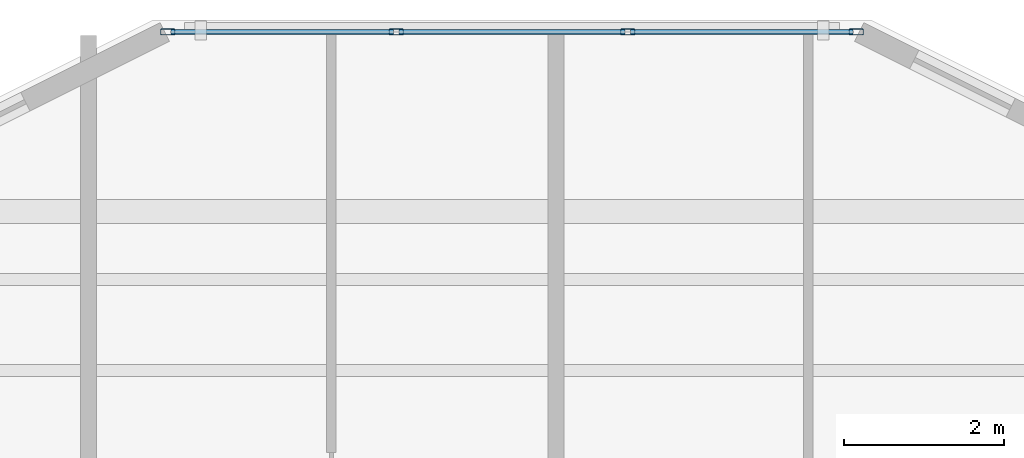
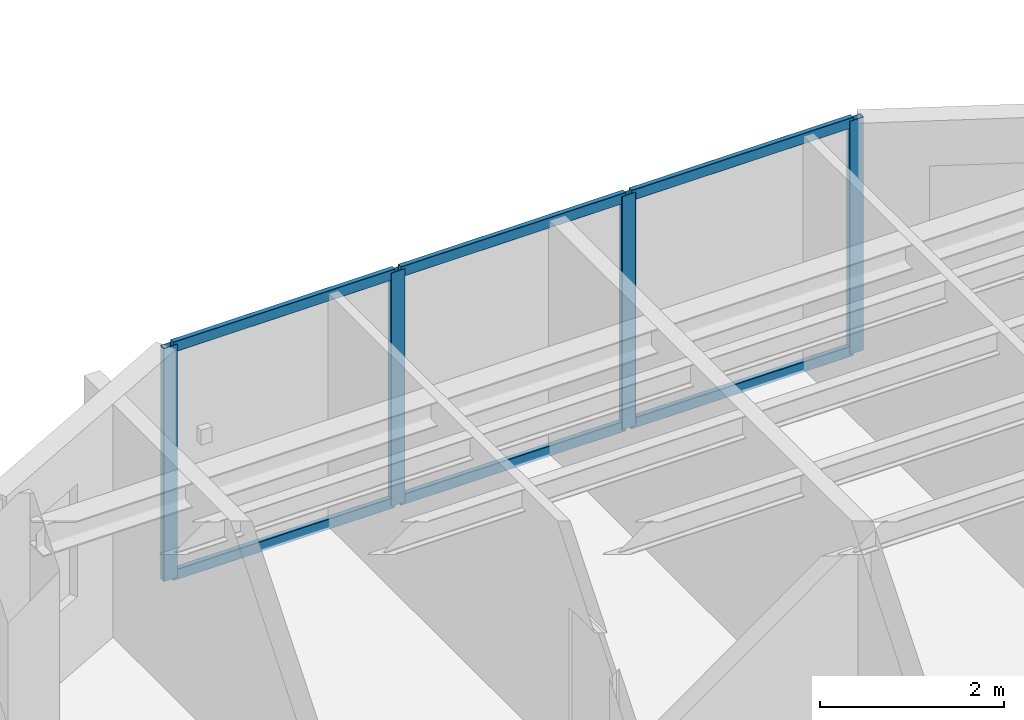
# One storey, part 4 of 14: 10 members, 1 element without a shape of its own.
"""IFC4 building model written with IfcOpenShell, lengths in metres."""

from ifc_helpers import new_model, si_unit, direction, frame, origin, origin_2d, place, context, subcontext, project, spatial, hollow_rectangle, extrude, material, layer, layer_set, material_profile, profile_set, type_object, element, aggregate, save


model = new_model("IFC4")

# Units and contexts
model_context = context("Model", 3, precision=1e-05, world=origin(), true_north=direction((0.0, 1.0)))
body_context = subcontext(model_context, "Body", "Model", "MODEL_VIEW")
ifc_project = project(units=[si_unit("LENGTHUNIT", "METRE"), si_unit("AREAUNIT", "SQUARE_METRE"), si_unit("VOLUMEUNIT", "CUBIC_METRE"), si_unit("PLANEANGLEUNIT", "RADIAN"), si_unit("MASSUNIT", "GRAM", prefix="KILO")], contexts=[model_context])

# Site, building, storey
site_placement = place(None, origin())
site = spatial("IfcSite", under=ifc_project, at=site_placement, CompositionType="ELEMENT")
building_placement = place(site_placement, origin())
building = spatial("IfcBuilding", under=site, at=building_placement, Name="Tarnavaz Court Tower", CompositionType="ELEMENT")
storey_placement = place(building_placement, frame((0.0, 0.0, 264.949951171875)))
storey = spatial("IfcBuildingStorey", under=building, at=storey_placement, Name="L72", CompositionType="ELEMENT", Elevation=264.949951171875)

# Curtain wall, members
ifc_material_1 = material(Name="Anodised Aluminium 6063-T6 and Solar Low-E Glazing", Category="aluminium")
ifc_layer = layer(ifc_material_1, 0.159912109375)
ifc_layer_set = layer_set([ifc_layer], Name="Anodised Aluminium 6063-T6 and Solar Low-E Glazing")
curtain_wall_type = type_object("IfcCurtainWallType", Name="CW-SYS-03", PredefinedType="NOTDEFINED", material=ifc_layer_set)
curtain_wall_placement = place(storey_placement, origin())
curtain_wall = element("IfcCurtainWall", 1, at=curtain_wall_placement, inside=storey, type_object=curtain_wall_type, Name="L72 Iwan Prow Curtain Wall 7", PredefinedType="NOTDEFINED")
ifc_material_2 = material(Name="Anodised Aluminium 6063-T6", Category="aluminium")
ifc_material_profile_1 = material_profile(ifc_material_2, hollow_rectangle(XDim=0.074951171875, YDim=0.179931640625, WallThickness=0.0048828125, InnerFilletRadius=0.0048828125, OuterFilletRadius=0.010009765625, at=origin_2d()), Name="ALU RHS 180X75X5")
ifc_profile_set_1 = profile_set([ifc_material_profile_1], Name="Anodised Aluminium 6063-T6")
member_type_1 = type_object("IfcMemberType", Name="CW-MUL-180", PredefinedType="MULLION", material=ifc_profile_set_1)
member_1_placement = place(storey_placement, frame((-4.3125, 22.35009765625, 0.0), z_axis=(0.0, 0.0, 1.0), x_axis=(0.0, 1.0, 0.0)))
member_1 = element("IfcMember", 2, at=member_1_placement, type_object=member_type_1, Name="CW mullion 1", PredefinedType="MULLION", context=body_context, shape_type="SweptSolid", body=[
    extrude(hollow_rectangle(XDim=0.074951171875, YDim=0.179931640625, WallThickness=0.0048828125, InnerFilletRadius=0.0048828125, OuterFilletRadius=0.010009765625, at=origin_2d()), origin(), (0.0, 0.0, 1.0), 3.10009765625),
])
member_2_placement = place(storey_placement, frame((-1.449951171875, 22.35009765625, 0.0), z_axis=(0.0, 0.0, 1.0), x_axis=(0.0, 1.0, 0.0)))
member_2 = element("IfcMember", 3, at=member_2_placement, type_object=member_type_1, Name="CW mullion 2", PredefinedType="MULLION", context=body_context, shape_type="SweptSolid", body=[
    extrude(hollow_rectangle(XDim=0.074951171875, YDim=0.179931640625, WallThickness=0.0048828125, InnerFilletRadius=0.0048828125, OuterFilletRadius=0.010009765625, at=origin_2d()), origin(), (0.0, 0.0, 1.0), 3.10009765625),
])
member_3_placement = place(storey_placement, frame((1.449951171875, 22.35009765625, 0.0), z_axis=(0.0, 0.0, 1.0), x_axis=(0.0, 1.0, 0.0)))
member_3 = element("IfcMember", 4, at=member_3_placement, type_object=member_type_1, Name="CW mullion 3", PredefinedType="MULLION", context=body_context, shape_type="SweptSolid", body=[
    extrude(hollow_rectangle(XDim=0.074951171875, YDim=0.179931640625, WallThickness=0.0048828125, InnerFilletRadius=0.0048828125, OuterFilletRadius=0.010009765625, at=origin_2d()), origin(), (0.0, 0.0, 1.0), 3.10009765625),
])
member_4_placement = place(storey_placement, frame((4.3125, 22.35009765625, 0.0), z_axis=(0.0, 0.0, 1.0), x_axis=(0.0, 1.0, 0.0)))
member_4 = element("IfcMember", 5, at=member_4_placement, type_object=member_type_1, Name="CW mullion 4", PredefinedType="MULLION", context=body_context, shape_type="SweptSolid", body=[
    extrude(hollow_rectangle(XDim=0.074951171875, YDim=0.179931640625, WallThickness=0.0048828125, InnerFilletRadius=0.0048828125, OuterFilletRadius=0.010009765625, at=origin_2d()), origin(), (0.0, 0.0, 1.0), 3.10009765625),
])
ifc_material_profile_2 = material_profile(ifc_material_2, hollow_rectangle(XDim=0.06494140625, YDim=0.139892578125, WallThickness=0.00390625, InnerFilletRadius=0.00390625, OuterFilletRadius=0.008056640625, at=origin_2d()), Name="ALU RHS 140X65X4")
ifc_profile_set_2 = profile_set([ifc_material_profile_2], Name="Anodised Aluminium 6063-T6")
member_type_2 = type_object("IfcMemberType", Name="CW-TRN-140", PredefinedType="USERDEFINED", material=ifc_profile_set_2)
member_5_placement = place(storey_placement, frame((-4.27490234375, 22.35009765625, 0.032470703125), z_axis=(1.0, 0.0, 0.0), x_axis=(0.0, 1.0, 0.0)))
member_5 = element("IfcMember", 6, at=member_5_placement, type_object=member_type_2, Name="CW transom 1.1", ObjectType="TRANSOM", PredefinedType="USERDEFINED", context=body_context, shape_type="SweptSolid", body=[
    extrude(hollow_rectangle(XDim=0.06494140625, YDim=0.139892578125, WallThickness=0.00390625, InnerFilletRadius=0.00390625, OuterFilletRadius=0.008056640625, at=origin_2d()), origin(), (0.0, 0.0, 1.0), 2.787353515625),
])
member_6_placement = place(storey_placement, frame((-4.27490234375, 22.35009765625, 3.067626953125), z_axis=(1.0, 0.0, 0.0), x_axis=(0.0, 1.0, 0.0)))
member_6 = element("IfcMember", 7, at=member_6_placement, type_object=member_type_2, Name="CW transom 1.2", ObjectType="TRANSOM", PredefinedType="USERDEFINED", context=body_context, shape_type="SweptSolid", body=[
    extrude(hollow_rectangle(XDim=0.06494140625, YDim=0.139892578125, WallThickness=0.00390625, InnerFilletRadius=0.00390625, OuterFilletRadius=0.008056640625, at=origin_2d()), origin(), (0.0, 0.0, 1.0), 2.787353515625),
])
member_7_placement = place(storey_placement, frame((-1.41259765625, 22.35009765625, 0.032470703125), z_axis=(1.0, 0.0, 0.0), x_axis=(0.0, 1.0, 0.0)))
member_7 = element("IfcMember", 8, at=member_7_placement, type_object=member_type_2, Name="CW transom 2.1", ObjectType="TRANSOM", PredefinedType="USERDEFINED", context=body_context, shape_type="SweptSolid", body=[
    extrude(hollow_rectangle(XDim=0.06494140625, YDim=0.139892578125, WallThickness=0.00390625, InnerFilletRadius=0.00390625, OuterFilletRadius=0.008056640625, at=origin_2d()), origin(), (0.0, 0.0, 1.0), 2.8251953125),
])
member_8_placement = place(storey_placement, frame((-1.41259765625, 22.35009765625, 3.067626953125), z_axis=(1.0, 0.0, 0.0), x_axis=(0.0, 1.0, 0.0)))
member_8 = element("IfcMember", 9, at=member_8_placement, type_object=member_type_2, Name="CW transom 2.2", ObjectType="TRANSOM", PredefinedType="USERDEFINED", context=body_context, shape_type="SweptSolid", body=[
    extrude(hollow_rectangle(XDim=0.06494140625, YDim=0.139892578125, WallThickness=0.00390625, InnerFilletRadius=0.00390625, OuterFilletRadius=0.008056640625, at=origin_2d()), origin(), (0.0, 0.0, 1.0), 2.8251953125),
])
member_9_placement = place(storey_placement, frame((1.487548828125, 22.35009765625, 0.032470703125), z_axis=(1.0, 0.0, 0.0), x_axis=(0.0, 1.0, 0.0)))
member_9 = element("IfcMember", 10, at=member_9_placement, type_object=member_type_2, Name="CW transom 3.1", ObjectType="TRANSOM", PredefinedType="USERDEFINED", context=body_context, shape_type="SweptSolid", body=[
    extrude(hollow_rectangle(XDim=0.06494140625, YDim=0.139892578125, WallThickness=0.00390625, InnerFilletRadius=0.00390625, OuterFilletRadius=0.008056640625, at=origin_2d()), origin(), (0.0, 0.0, 1.0), 2.787353515625),
])
member_10_placement = place(storey_placement, frame((1.487548828125, 22.35009765625, 3.067626953125), z_axis=(1.0, 0.0, 0.0), x_axis=(0.0, 1.0, 0.0)))
member_10 = element("IfcMember", 11, at=member_10_placement, type_object=member_type_2, Name="CW transom 3.2", ObjectType="TRANSOM", PredefinedType="USERDEFINED", context=body_context, shape_type="SweptSolid", body=[
    extrude(hollow_rectangle(XDim=0.06494140625, YDim=0.139892578125, WallThickness=0.00390625, InnerFilletRadius=0.00390625, OuterFilletRadius=0.008056640625, at=origin_2d()), origin(), (0.0, 0.0, 1.0), 2.787353515625),
])
aggregate(curtain_wall, [member_1, member_2, member_3, member_4, member_5, member_6, member_7, member_8, member_9, member_10])

save(model, "model.ifc")
